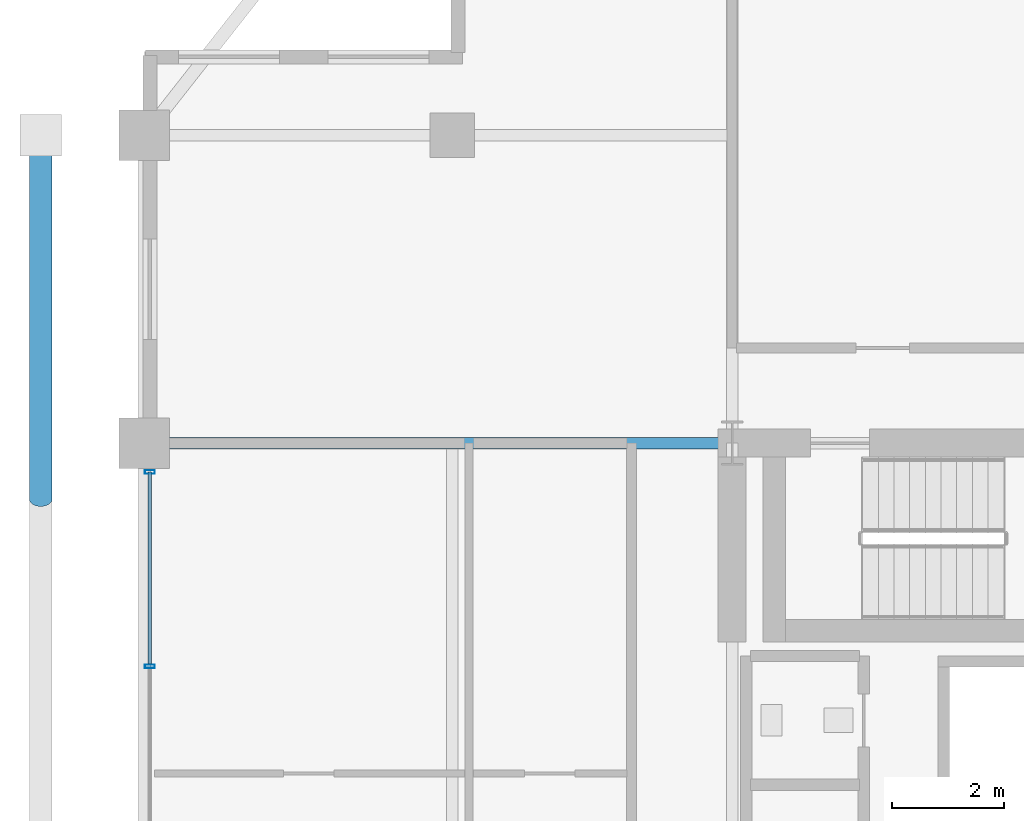
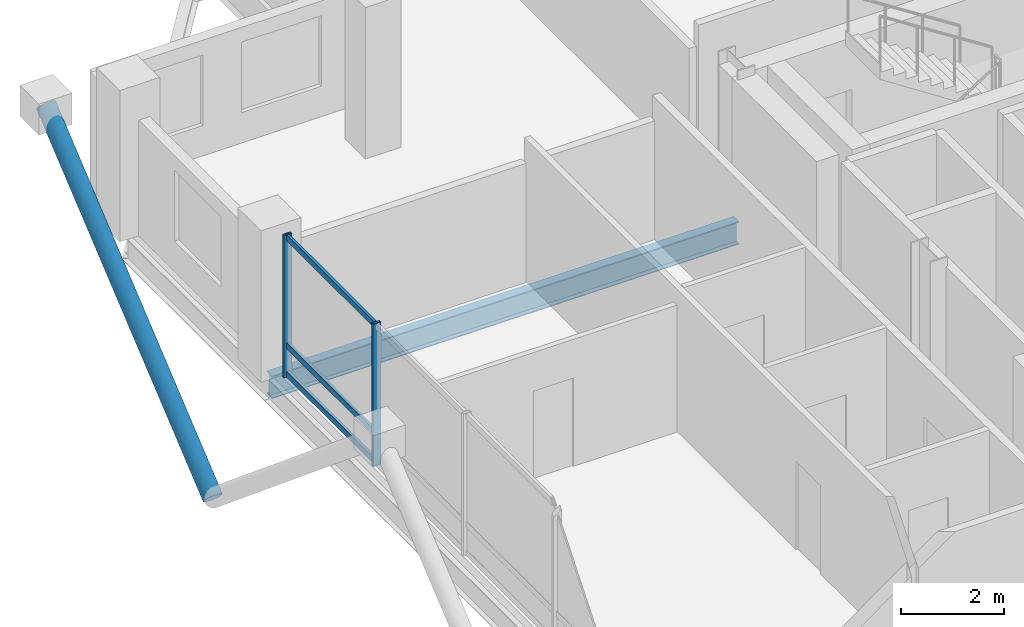
# One storey, part 9 of 23: 6 members, 1 beam, 1 element without a shape of its own.
"""IFC4 building model written with IfcOpenShell, lengths in metres."""

from ifc_helpers import new_model, si_unit, direction, frame, origin, origin_2d, place, context, subcontext, project, spatial, hollow_rectangle, hollow_circle, i_section, extrude, material, layer, layer_set, material_profile, profile_set, type_object, element, aggregate, save


model = new_model("IFC4")

# Units and contexts
model_context = context("Model", 3, precision=1e-05, world=origin(), true_north=direction((0.0, 1.0)))
body_context = subcontext(model_context, "Body", "Model", "MODEL_VIEW")
ifc_project = project(units=[si_unit("LENGTHUNIT", "METRE"), si_unit("AREAUNIT", "SQUARE_METRE"), si_unit("VOLUMEUNIT", "CUBIC_METRE"), si_unit("PLANEANGLEUNIT", "RADIAN"), si_unit("MASSUNIT", "GRAM", prefix="KILO")], contexts=[model_context])

# Site, building, storey
site_placement = place(None, origin())
site = spatial("IfcSite", under=ifc_project, at=site_placement, CompositionType="ELEMENT")
building_placement = place(site_placement, origin())
building = spatial("IfcBuilding", under=site, at=building_placement, Name="Barlavira Tower and Art Museum", CompositionType="ELEMENT")
storey_placement = place(building_placement, frame((0.0, 0.0, 290.699951171875)))
storey = spatial("IfcBuildingStorey", under=building, at=storey_placement, Name="L76", CompositionType="ELEMENT", Elevation=290.699951171875)

# Curtain wall, members
ifc_material_1 = material(Name="Low-iron coastal laminated glass", Category="glass")
ifc_layer = layer(ifc_material_1, 0.2099609375, Name="Low-iron coastal laminated glass")
ifc_layer_set = layer_set([ifc_layer], Name="Low-iron coastal laminated glass")
curtain_wall_type = type_object("IfcCurtainWallType", Name="Pale-Metal Unitised Curtain Wall Zone 4", PredefinedType="NOTDEFINED", material=ifc_layer_set)
curtain_wall_placement = place(storey_placement, origin())
curtain_wall = element("IfcCurtainWall", 1, at=curtain_wall_placement, inside=storey, type_object=curtain_wall_type, Name="L76 Curtain Wall CW4-L76-W-B3", PredefinedType="NOTDEFINED")
ifc_material_2 = material(Name="Pale anodised aluminium", Category="aluminium")
ifc_material_profile_1 = material_profile(ifc_material_2, hollow_rectangle(XDim=0.06494140625, YDim=0.179931640625, WallThickness=0.00390625, at=origin_2d()), Name="ALU-MULL 65x180x4")
ifc_profile_set_1 = profile_set([ifc_material_profile_1], Name="Pale anodised aluminium")
member_type_1 = type_object("IfcMemberType", Name="Curtain Wall Pale-Metal Mullion 65x180", PredefinedType="MULLION", material=ifc_profile_set_1)
member_1_placement = place(storey_placement, frame((-16.89990234375, 6.985107421875, 0.0), z_axis=(0.0, 0.0, 1.0), x_axis=(0.0, -1.0, 0.0)))
member_1 = element("IfcMember", 2, at=member_1_placement, type_object=member_type_1, Name="CW4-L76-W-B3 Mullion 0", PredefinedType="MULLION", context=body_context, shape_type="SweptSolid", body=[
    extrude(hollow_rectangle(XDim=0.06494140625, YDim=0.179931640625, WallThickness=0.00390625, at=origin_2d()), origin(), (0.0, 0.0, 1.0), 3.380126953125),
])
member_2_placement = place(storey_placement, frame((-16.89990234375, 3.514892578125, 0.0), z_axis=(0.0, 0.0, 1.0), x_axis=(0.0, -1.0, 0.0)))
member_2 = element("IfcMember", 3, at=member_2_placement, type_object=member_type_1, Name="CW4-L76-W-B3 Mullion 1", PredefinedType="MULLION", context=body_context, shape_type="SweptSolid", body=[
    extrude(hollow_rectangle(XDim=0.06494140625, YDim=0.179931640625, WallThickness=0.00390625, at=origin_2d()), origin(), (0.0, 0.0, 1.0), 3.380126953125),
])
ifc_material_profile_2 = material_profile(ifc_material_2, hollow_rectangle(XDim=0.06494140625, YDim=0.139892578125, WallThickness=0.00390625, at=origin_2d()), Name="ALU-TRAN 65x140x4")
ifc_profile_set_2 = profile_set([ifc_material_profile_2], Name="Pale anodised aluminium")
member_type_2 = type_object("IfcMemberType", Name="Curtain Wall Pale-Metal Transom 65x140", PredefinedType="USERDEFINED", material=ifc_profile_set_2)
member_3_placement = place(storey_placement, frame((-16.89990234375, 6.985107421875, 0.070068359375), z_axis=(0.0, -1.0, 0.0), x_axis=(1.0, 0.0, 0.0)))
member_3 = element("IfcMember", 4, at=member_3_placement, type_object=member_type_2, Name="CW4-L76-W-B3 Transom 0.1", ObjectType="TRANSOM", PredefinedType="USERDEFINED", context=body_context, shape_type="SweptSolid", body=[
    extrude(hollow_rectangle(XDim=0.06494140625, YDim=0.139892578125, WallThickness=0.00390625, at=origin_2d()), origin(), (0.0, 0.0, 1.0), 3.425048828125),
])
member_4_placement = place(storey_placement, frame((-16.89990234375, 6.985107421875, 0.744140625), z_axis=(0.0, -1.0, 0.0), x_axis=(1.0, 0.0, 0.0)))
member_4 = element("IfcMember", 5, at=member_4_placement, type_object=member_type_2, Name="CW4-L76-W-B3 Transom 0.2", ObjectType="TRANSOM", PredefinedType="USERDEFINED", context=body_context, shape_type="SweptSolid", body=[
    extrude(hollow_rectangle(XDim=0.06494140625, YDim=0.139892578125, WallThickness=0.00390625, at=origin_2d()), origin(), (0.0, 0.0, 1.0), 3.425048828125),
])
member_5_placement = place(storey_placement, frame((-16.89990234375, 6.985107421875, 3.31005859375), z_axis=(0.0, -1.0, 0.0), x_axis=(1.0, 0.0, 0.0)))
member_5 = element("IfcMember", 6, at=member_5_placement, type_object=member_type_2, Name="CW4-L76-W-B3 Transom 0.3", ObjectType="TRANSOM", PredefinedType="USERDEFINED", context=body_context, shape_type="SweptSolid", body=[
    extrude(hollow_rectangle(XDim=0.06494140625, YDim=0.139892578125, WallThickness=0.00390625, at=origin_2d()), origin(), (0.0, 0.0, 1.0), 3.425048828125),
])
aggregate(curtain_wall, [member_1, member_2, member_3, member_4, member_5])

# Member
ifc_material_3 = material(Name="Steel S355", Category="steel")
ifc_material_profile_3 = material_profile(ifc_material_3, hollow_circle(Radius=0.203125, WallThickness=0.01611328125, at=origin_2d()), Name="CHS 406.4x16.0")
ifc_profile_set_3 = profile_set([ifc_material_profile_3], Name="Steel S355")
member_type_3 = type_object("IfcMemberType", Name="Pale-Metal Exoskeleton Diagrid Tube CHS 406x16 Steel S355", PredefinedType="BRACE", material=ifc_profile_set_3)
member_6_placement = place(storey_placement, frame((-18.85009765625, 6.5, -1.919921875), z_axis=(0.0, 0.769196053329, 0.639012857104), x_axis=(-1.0, 0.0, 0.0)))
element("IfcMember", 7, at=member_6_placement, inside=storey, type_object=member_type_3, Name="L76 Exoskeleton Diagrid Tube W", PredefinedType="BRACE", context=body_context, shape_type="SweptSolid", body=[
    extrude(hollow_circle(Radius=0.203125, WallThickness=0.01611328125, at=origin_2d()), origin(), (0.0, 0.0, 1.0), 8.450439453125),
])

# Beam
ifc_material_profile_4 = material_profile(ifc_material_3, i_section(OverallWidth=0.2109375, OverallDepth=0.5390625, WebThickness=0.01171875, FlangeThickness=0.018798828125, at=origin_2d()), Name="W530x109.0")
ifc_profile_set_4 = profile_set([ifc_material_profile_4], Name="Steel S355")
beam_type = type_object("IfcBeamType", Name="Zone 3-4 Primary Floor Girder W530x109 Steel S355", PredefinedType="BEAM", material=ifc_profile_set_4)
beam_placement = place(storey_placement, frame((-17.0, 7.5, -0.489501953125), z_axis=(1.0, 0.0, 0.0), x_axis=(0.0, 1.0, 0.0)))
element("IfcBeam", 8, at=beam_placement, inside=storey, type_object=beam_type, Name="L76 Girder R-W2", PredefinedType="BEAM", context=body_context, shape_type="SweptSolid", body=[
    extrude(i_section(OverallWidth=0.2109375, OverallDepth=0.5390625, WebThickness=0.01171875, FlangeThickness=0.018798828125, at=origin_2d()), origin(), (0.0, 0.0, 1.0), 10.5),
])

save(model, "model.ifc")
